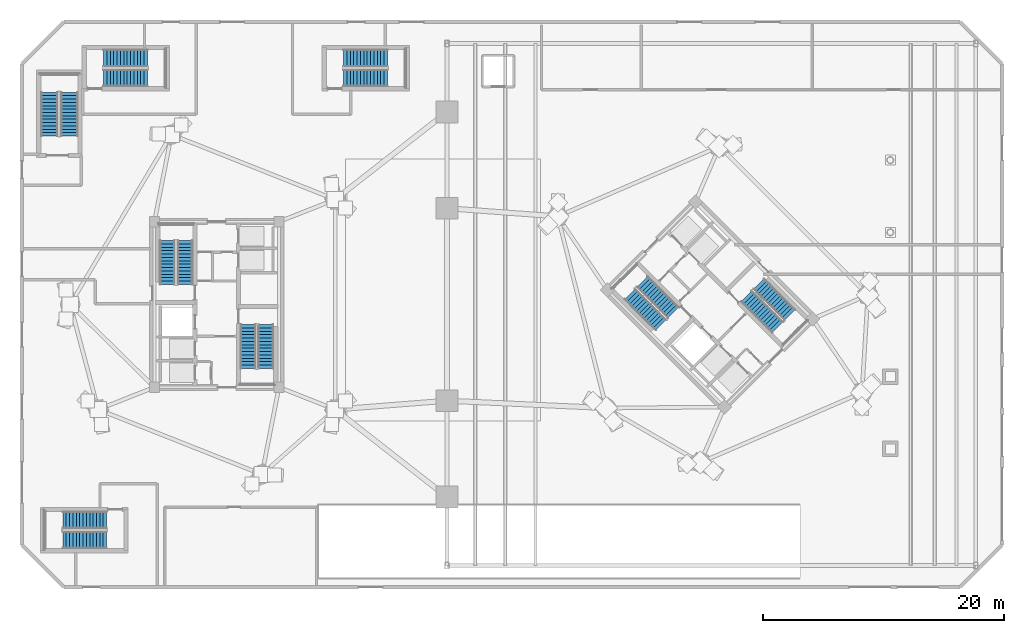
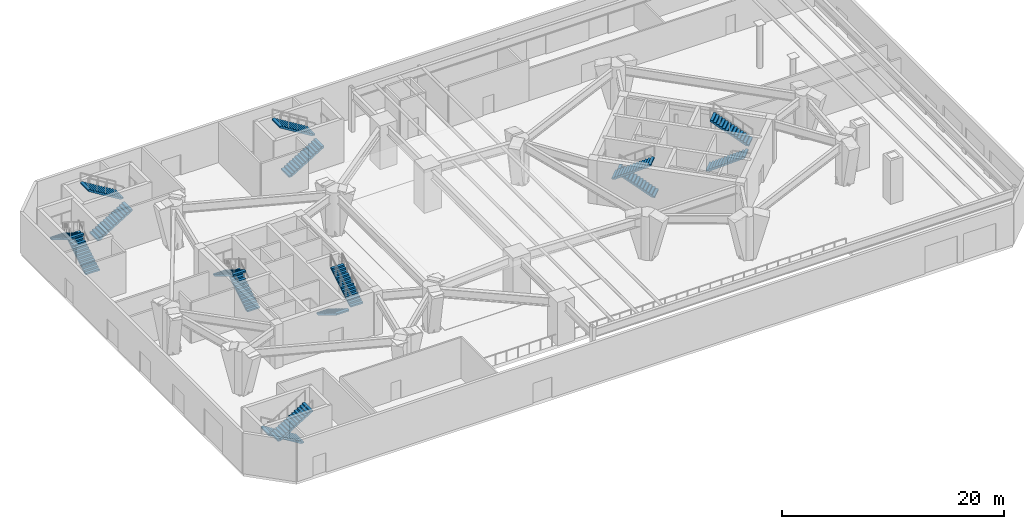
# One storey, part 11 of 17: 16 stair flights, 8 elements without a shape of their own.
"""IFC4 building model written with IfcOpenShell, lengths in metres."""

import ifcopenshell
import ifcopenshell.guid

model = None  # the IFC model being written
_history = None  # IfcOwnerHistory: only IFC2X3 demands one
_inside = {}  # id of a spatial element -> (the spatial element, [elements in it])
_under = {}  # id of a project, library or spatial element -> (it, [spatial elements below it])
_declared = {}  # id of a project -> (the project, [libraries it declares])
_typed = {}  # id of a type object -> (the type object, [elements of that type])
_made_of = {}  # id of a material, layer set ... -> (it, [elements and type objects made of it])


def new_model(schema):
    """Start an empty IFC model of exactly this schema.

    Asked for "IFC4X3", IfcOpenShell would pick the latest addendum, in which some entities
    have other attributes; the version numbers below select the first issue.
    IFC2X3 requires an IfcOwnerHistory on every rooted entity: one is made here for all.
    """
    global model, _history
    if schema == "IFC4X3":
        model = ifcopenshell.file(schema_version=(4, 3, 0, 0))
    else:
        model = ifcopenshell.file(schema=schema)
    _inside.clear()
    _under.clear()
    _declared.clear()
    _typed.clear()
    _made_of.clear()
    _history = None
    if model.schema == "IFC2X3":
        org = make("IfcOrganization", Name="unknown")
        user = make(
            "IfcPersonAndOrganization",
            ThePerson=make("IfcPerson", FamilyName="unknown"),
            TheOrganization=org,
        )
        app = make(
            "IfcApplication",
            ApplicationDeveloper=org,
            Version="unknown",
            ApplicationFullName="unknown",
            ApplicationIdentifier="unknown",
        )
        _history = make(
            "IfcOwnerHistory",
            OwningUser=user,
            OwningApplication=app,
            ChangeAction="ADDED",
            CreationDate=0,
        )
    return model


def make(cls, **values):
    """One entity of the class cls with the attributes given. An attribute that is None is left unset."""
    return model.create_entity(
        cls, **{name: value for name, value in values.items() if value is not None}
    )


def rooted(cls, **values):
    """An entity with a GlobalId (a new one), such as an element, a storey or a relation."""
    return make(cls, GlobalId=ifcopenshell.guid.new(), OwnerHistory=_history, **values)


def si_unit(unit_type, name, prefix=None):
    """IfcSIUnit, for example si_unit("LENGTHUNIT", "METRE", prefix="MILLI")."""
    return make("IfcSIUnit", UnitType=unit_type, Prefix=prefix, Name=name)


def assignment(units):
    """IfcUnitAssignment: the units of a project."""
    return None if units is None else make("IfcUnitAssignment", Units=units)


def point(xyz):
    """IfcCartesianPoint."""
    return None if xyz is None else make("IfcCartesianPoint", Coordinates=xyz)


def direction(xyz):
    """IfcDirection."""
    return None if xyz is None else make("IfcDirection", DirectionRatios=xyz)


def frame(location, z_axis=None, x_axis=None):
    """IfcAxis2Placement3D, a coordinate frame: its origin and axes. An axis left out is left unset."""
    return make(
        "IfcAxis2Placement3D",
        Location=point(location),
        Axis=direction(z_axis),
        RefDirection=direction(x_axis),
    )


def origin():
    """The frame at (0, 0, 0) with its axes left unset."""
    return frame((0.0, 0.0, 0.0))


def place(relative_to, where):
    """IfcLocalPlacement: puts the frame where relative to a parent placement (None: the world)."""
    return make(
        "IfcLocalPlacement", PlacementRelTo=relative_to, RelativePlacement=where
    )


def context(
    kind, dimensions, precision=None, world=None, true_north=None, identifier=None
):
    """IfcGeometricRepresentationContext, for example the 3D "Model" context."""
    return make(
        "IfcGeometricRepresentationContext",
        ContextIdentifier=identifier,
        ContextType=kind,
        CoordinateSpaceDimension=dimensions,
        Precision=precision,
        WorldCoordinateSystem=world,
        TrueNorth=true_north,
    )


def subcontext(parent, identifier, kind, view, scale=None):
    """IfcGeometricRepresentationSubContext, for example "Body" below "Model"."""
    return make(
        "IfcGeometricRepresentationSubContext",
        ContextIdentifier=identifier,
        ContextType=kind,
        ParentContext=parent,
        TargetScale=scale,
        TargetView=view,
    )


def project(units=None, contexts=None):
    """IfcProject with its units and contexts."""
    return rooted(
        "IfcProject",
        Name="project",
        RepresentationContexts=contexts,
        UnitsInContext=assignment(units),
    )


def spatial(cls, under=None, at=None, **own):
    """A site, building, storey or space (cls), placed at a placement, below another one or the project."""
    s = rooted(cls, ObjectPlacement=at, **own)
    if under is not None:
        _under.setdefault(under.id(), (under, []))[1].append(s)
    return s


def polyline(points):
    """IfcPolyline through the points."""
    return make("IfcPolyline", Points=[point(p) for p in points])


def outline(outer, holes=None, kind="AREA"):
    """IfcArbitraryClosedProfileDef: a profile drawn as a closed curve; with holes, ...WithVoids."""
    if holes is None:
        return make("IfcArbitraryClosedProfileDef", ProfileType=kind, OuterCurve=outer)
    return make(
        "IfcArbitraryProfileDefWithVoids",
        ProfileType=kind,
        OuterCurve=outer,
        InnerCurves=holes,
    )


def extrude(swept, where, along, depth):
    """IfcExtrudedAreaSolid: the profile swept, set in the frame where, extruded along a direction by depth."""
    return make(
        "IfcExtrudedAreaSolid",
        SweptArea=swept,
        Position=where,
        ExtrudedDirection=direction(along),
        Depth=depth,
    )


def shape(context_of_items, identifier, shape_type, items):
    """IfcShapeRepresentation: the items that make up one representation, for example the "Body"."""
    return make(
        "IfcShapeRepresentation",
        ContextOfItems=context_of_items,
        RepresentationIdentifier=identifier,
        RepresentationType=shape_type,
        Items=items,
    )


def material(Name=None, Category=None):
    """IfcMaterial."""
    return make("IfcMaterial", Name=Name, Category=Category)


def made_of(thing, what):
    """Note that an element or type object is made of a material, layer set ...; save() writes the relation."""
    if what is not None:
        _made_of.setdefault(what.id(), (what, []))[1].append(thing)
    return thing


def type_object(cls, material=None, **own):
    """A type object (cls), such as IfcWallType, which elements share."""
    return made_of(rooted(cls, **own), material)


def element(
    cls,
    number,
    at=None,
    inside=None,
    cuts=None,
    type_object=None,
    material=None,
    context=None,
    identifier="Body",
    shape_type=None,
    held_by="IfcProductDefinitionShape",
    body=None,
    shapes=None,
    **own,
):
    """One element of the class cls, such as IfcWall. Its Tag is "e" and its number.

    at: its placement. inside: the storey or other place that contains it. cuts: it is an
    opening in that element (IfcRelVoidsElement). A single representation is given by context,
    identifier, shape_type and body (its items); several are given by shapes. held_by: the class
    of the entity that holds the representations. save() writes the other relations.
    """
    e = rooted(cls, Tag="e%d" % number, ObjectPlacement=at, **own)
    if body is not None:
        shapes = [shape(context, identifier, shape_type, body)]
    if shapes is not None:
        e.Representation = make(held_by, Representations=shapes)
    if inside is not None:
        _inside.setdefault(inside.id(), (inside, []))[1].append(e)
    if cuts is not None:
        rooted(
            "IfcRelVoidsElement", RelatingBuildingElement=cuts, RelatedOpeningElement=e
        )
    if type_object is not None:
        _typed.setdefault(type_object.id(), (type_object, []))[1].append(e)
    return made_of(e, material)


def aggregate(whole, parts):
    """IfcRelAggregates: a whole, such as a stair, and the parts it consists of."""
    return rooted("IfcRelAggregates", RelatingObject=whole, RelatedObjects=parts)


def save(model, path):
    """Write the relations noted so far, then the file.

    IfcRelAggregates (storeys below a building ...), IfcRelContainedInSpatialStructure (elements
    in a storey), IfcRelDefinesByType, IfcRelAssociatesMaterial and IfcRelDeclares: one each for
    every whole, place, type object, material and project.
    """
    for whole, parts in _under.values():
        aggregate(whole, parts)
    for where, things in _inside.values():
        rooted(
            "IfcRelContainedInSpatialStructure",
            RelatedElements=things,
            RelatingStructure=where,
        )
    for kind, things in _typed.values():
        rooted("IfcRelDefinesByType", RelatedObjects=things, RelatingType=kind)
    for what, things in _made_of.values():
        rooted("IfcRelAssociatesMaterial", RelatedObjects=things, RelatingMaterial=what)
    for by, libraries in _declared.values():
        rooted("IfcRelDeclares", RelatingContext=by, RelatedDefinitions=libraries)
    model.write(path)


model = new_model("IFC4")

# Units and contexts
model_context = context("Model", 3, precision=1e-05, world=origin(), true_north=direction((0.0, 1.0)))
body_context = subcontext(model_context, "Body", "Model", "MODEL_VIEW")
ifc_project = project(units=[si_unit("LENGTHUNIT", "METRE"), si_unit("AREAUNIT", "SQUARE_METRE"), si_unit("VOLUMEUNIT", "CUBIC_METRE"), si_unit("PLANEANGLEUNIT", "RADIAN"), si_unit("MASSUNIT", "GRAM", prefix="KILO")], contexts=[model_context])

# Site, building, storey
site_placement = place(None, origin())
site = spatial("IfcSite", under=ifc_project, at=site_placement, CompositionType="ELEMENT")
building_placement = place(site_placement, origin())
building = spatial("IfcBuilding", under=site, at=building_placement, Name="Cununo Teusaquillo Station Towers", CompositionType="ELEMENT")
storey_placement = place(building_placement, origin())
storey = spatial("IfcBuildingStorey", under=building, at=storey_placement, Name="L00", CompositionType="ELEMENT", Elevation=0.0)

# Stair, stair flights
ifc_material_1 = material(Name="Concrete C50/60", Category="concrete")
stair_type_1 = type_object("IfcStairType", Name="ST-POD-1450", PredefinedType="HALF_TURN_STAIR", material=ifc_material_1)
stair_1_placement = place(storey_placement, origin())
stair_1 = element("IfcStair", 1, at=stair_1_placement, inside=storey, type_object=stair_type_1, Name="L00 Station Podium North Protected Exit Stair", PredefinedType="HALF_TURN_STAIR")
ifc_material_2 = material(Name="Concrete C50/60", Category="concrete")
stair_flight_type_1 = type_object("IfcStairFlightType", Name="SFL-POD-1450", PredefinedType="STRAIGHT", material=ifc_material_2)
stair_flight_1_placement = place(storey_placement, frame((27.050048828125, 43.324951171875, 0.0), z_axis=(0.0, 0.0, 1.0), x_axis=(1.0, 0.0, 0.0)))
stair_flight_1 = element("IfcStairFlight", 2, at=stair_flight_1_placement, type_object=stair_flight_type_1, Name="ST-POD-N flight 1", NumberOfRisers=14, NumberOfTreads=13, PredefinedType="STRAIGHT", RiserHeight=0.171428571, TreadLength=0.28, context=body_context, shape_type="SweptSolid", body=[
    extrude(outline(polyline([(0.0, 0.0), (0.0, 0.17138671875), (0.280029296875, 0.17138671875), (0.280029296875, 0.3427734375), (0.56005859375, 0.3427734375), (0.56005859375, 0.514404296875), (0.840087890625, 0.514404296875), (0.840087890625, 0.685791015625), (1.1201171875, 0.685791015625), (1.1201171875, 0.857177734375), (1.39990234375, 0.857177734375), (1.39990234375, 1.028564453125), (1.679931640625, 1.028564453125), (1.679931640625, 1.199951171875), (1.9599609375, 1.199951171875), (1.9599609375, 1.371337890625), (2.239990234375, 1.371337890625), (2.239990234375, 1.54296875), (2.52001953125, 1.54296875), (2.52001953125, 1.71435546875), (2.800048828125, 1.71435546875), (2.800048828125, 1.8857421875), (3.080078125, 1.8857421875), (3.080078125, 2.05712890625), (3.360107421875, 2.05712890625), (3.360107421875, 2.228515625), (3.639892578125, 2.228515625), (3.639892578125, 2.39990234375), (3.639892578125, 2.052734375), (0.287109375, 0.0), (0.0, 0.0)])), frame((0.0, 0.72509765625, 0.0), z_axis=(0.0, -1.0, 0.0), x_axis=(1.0, 0.0, 0.0)), (0.0, 0.0, 1.0), 1.449951171875),
])
stair_flight_2_placement = place(storey_placement, frame((30.68994140625, 44.97509765625, 2.39990234375), z_axis=(0.0, 0.0, 1.0), x_axis=(-1.0, 0.0, 0.0)))
stair_flight_2 = element("IfcStairFlight", 3, at=stair_flight_2_placement, type_object=stair_flight_type_1, Name="ST-POD-N flight 2", NumberOfRisers=14, NumberOfTreads=13, PredefinedType="STRAIGHT", RiserHeight=0.171428571, TreadLength=0.28, context=body_context, shape_type="SweptSolid", body=[
    extrude(outline(polyline([(0.0, 0.0), (0.0, 0.17138671875), (0.280029296875, 0.17138671875), (0.280029296875, 0.3427734375), (0.56005859375, 0.3427734375), (0.56005859375, 0.514404296875), (0.840087890625, 0.514404296875), (0.840087890625, 0.685791015625), (1.1201171875, 0.685791015625), (1.1201171875, 0.857177734375), (1.39990234375, 0.857177734375), (1.39990234375, 1.028564453125), (1.679931640625, 1.028564453125), (1.679931640625, 1.199951171875), (1.9599609375, 1.199951171875), (1.9599609375, 1.371337890625), (2.239990234375, 1.371337890625), (2.239990234375, 1.54296875), (2.52001953125, 1.54296875), (2.52001953125, 1.71435546875), (2.800048828125, 1.71435546875), (2.800048828125, 1.8857421875), (3.080078125, 1.8857421875), (3.080078125, 2.05712890625), (3.360107421875, 2.05712890625), (3.360107421875, 2.228515625), (3.639892578125, 2.228515625), (3.639892578125, 2.39990234375), (3.639892578125, 2.052734375), (0.287109375, 0.0), (0.0, 0.0)])), frame((0.0, 0.72509765625, 0.0), z_axis=(0.0, -1.0, 0.0), x_axis=(1.0, 0.0, 0.0)), (0.0, 0.0, 1.0), 1.449951171875),
])
aggregate(stair_1, [stair_flight_1, stair_flight_2])

stair_2_placement = place(storey_placement, origin())
stair_2 = element("IfcStair", 4, at=stair_2_placement, inside=storey, type_object=stair_type_1, Name="L00 Station Podium South Protected Exit Stair", PredefinedType="HALF_TURN_STAIR")
stair_flight_3_placement = place(storey_placement, frame((7.35009765625, 6.574951171875, 0.0), z_axis=(0.0, 0.0, 1.0), x_axis=(-1.0, 0.0, 0.0)))
stair_flight_3 = element("IfcStairFlight", 5, at=stair_flight_3_placement, type_object=stair_flight_type_1, Name="ST-POD-S flight 1", NumberOfRisers=14, NumberOfTreads=13, PredefinedType="STRAIGHT", RiserHeight=0.171428571, TreadLength=0.28, context=body_context, shape_type="SweptSolid", body=[
    extrude(outline(polyline([(0.0, 0.0), (0.0, 0.17138671875), (0.280029296875, 0.17138671875), (0.280029296875, 0.3427734375), (0.56005859375, 0.3427734375), (0.56005859375, 0.514404296875), (0.840087890625, 0.514404296875), (0.840087890625, 0.685791015625), (1.1201171875, 0.685791015625), (1.1201171875, 0.857177734375), (1.39990234375, 0.857177734375), (1.39990234375, 1.028564453125), (1.679931640625, 1.028564453125), (1.679931640625, 1.199951171875), (1.9599609375, 1.199951171875), (1.9599609375, 1.371337890625), (2.239990234375, 1.371337890625), (2.239990234375, 1.54296875), (2.52001953125, 1.54296875), (2.52001953125, 1.71435546875), (2.800048828125, 1.71435546875), (2.800048828125, 1.8857421875), (3.080078125, 1.8857421875), (3.080078125, 2.05712890625), (3.360107421875, 2.05712890625), (3.360107421875, 2.228515625), (3.639892578125, 2.228515625), (3.639892578125, 2.39990234375), (3.639892578125, 2.052734375), (0.287109375, 0.0), (0.0, 0.0)])), frame((0.0, 0.72509765625, 0.0), z_axis=(0.0, -1.0, 0.0), x_axis=(1.0, 0.0, 0.0)), (0.0, 0.0, 1.0), 1.449951171875),
])
stair_flight_4_placement = place(storey_placement, frame((3.7099609375, 4.925048828125, 2.39990234375), z_axis=(0.0, 0.0, 1.0), x_axis=(1.0, 0.0, 0.0)))
stair_flight_4 = element("IfcStairFlight", 6, at=stair_flight_4_placement, type_object=stair_flight_type_1, Name="ST-POD-S flight 2", NumberOfRisers=14, NumberOfTreads=13, PredefinedType="STRAIGHT", RiserHeight=0.171428571, TreadLength=0.28, context=body_context, shape_type="SweptSolid", body=[
    extrude(outline(polyline([(0.0, 0.0), (0.0, 0.17138671875), (0.280029296875, 0.17138671875), (0.280029296875, 0.3427734375), (0.56005859375, 0.3427734375), (0.56005859375, 0.514404296875), (0.840087890625, 0.514404296875), (0.840087890625, 0.685791015625), (1.1201171875, 0.685791015625), (1.1201171875, 0.857177734375), (1.39990234375, 0.857177734375), (1.39990234375, 1.028564453125), (1.679931640625, 1.028564453125), (1.679931640625, 1.199951171875), (1.9599609375, 1.199951171875), (1.9599609375, 1.371337890625), (2.239990234375, 1.371337890625), (2.239990234375, 1.54296875), (2.52001953125, 1.54296875), (2.52001953125, 1.71435546875), (2.800048828125, 1.71435546875), (2.800048828125, 1.8857421875), (3.080078125, 1.8857421875), (3.080078125, 2.05712890625), (3.360107421875, 2.05712890625), (3.360107421875, 2.228515625), (3.639892578125, 2.228515625), (3.639892578125, 2.39990234375), (3.639892578125, 2.052734375), (0.287109375, 0.0), (0.0, 0.0)])), frame((0.0, 0.72509765625, 0.0), z_axis=(0.0, -1.0, 0.0), x_axis=(1.0, 0.0, 0.0)), (0.0, 0.0, 1.0), 1.449951171875),
])
aggregate(stair_2, [stair_flight_3, stair_flight_4])

stair_3_placement = place(storey_placement, origin())
stair_3 = element("IfcStair", 7, at=stair_3_placement, inside=storey, type_object=stair_type_1, Name="L00 Station Podium West Protected Exit Stair", PredefinedType="HALF_TURN_STAIR")
stair_flight_5_placement = place(storey_placement, frame((4.2548828125, 38.5, 0.0), z_axis=(0.0, 0.0, 1.0), x_axis=(0.0, 1.0, 0.0)))
stair_flight_5 = element("IfcStairFlight", 8, at=stair_flight_5_placement, type_object=stair_flight_type_1, Name="ST-POD-W flight 1", NumberOfRisers=14, NumberOfTreads=13, PredefinedType="STRAIGHT", RiserHeight=0.171428571, TreadLength=0.28, context=body_context, shape_type="SweptSolid", body=[
    extrude(outline(polyline([(0.0, 0.0), (0.0, 0.17138671875), (0.280029296875, 0.17138671875), (0.280029296875, 0.3427734375), (0.56005859375, 0.3427734375), (0.56005859375, 0.514404296875), (0.840087890625, 0.514404296875), (0.840087890625, 0.685791015625), (1.1201171875, 0.685791015625), (1.1201171875, 0.857177734375), (1.39990234375, 0.857177734375), (1.39990234375, 1.028564453125), (1.679931640625, 1.028564453125), (1.679931640625, 1.199951171875), (1.9599609375, 1.199951171875), (1.9599609375, 1.371337890625), (2.239990234375, 1.371337890625), (2.239990234375, 1.54296875), (2.52001953125, 1.54296875), (2.52001953125, 1.71435546875), (2.800048828125, 1.71435546875), (2.800048828125, 1.8857421875), (3.080078125, 1.8857421875), (3.080078125, 2.05712890625), (3.360107421875, 2.05712890625), (3.360107421875, 2.228515625), (3.639892578125, 2.228515625), (3.639892578125, 2.39990234375), (3.639892578125, 2.052734375), (0.287109375, 0.0), (0.0, 0.0)])), frame((0.0, 0.72509765625, 0.0), z_axis=(0.0, -1.0, 0.0), x_axis=(1.0, 0.0, 0.0)), (0.0, 0.0, 1.0), 1.449951171875),
])
stair_flight_6_placement = place(storey_placement, frame((2.60498046875, 42.139892578125, 2.39990234375), z_axis=(0.0, 0.0, 1.0), x_axis=(0.0, -1.0, 0.0)))
stair_flight_6 = element("IfcStairFlight", 9, at=stair_flight_6_placement, type_object=stair_flight_type_1, Name="ST-POD-W flight 2", NumberOfRisers=14, NumberOfTreads=13, PredefinedType="STRAIGHT", RiserHeight=0.171428571, TreadLength=0.28, context=body_context, shape_type="SweptSolid", body=[
    extrude(outline(polyline([(0.0, 0.0), (0.0, 0.17138671875), (0.280029296875, 0.17138671875), (0.280029296875, 0.3427734375), (0.56005859375, 0.3427734375), (0.56005859375, 0.514404296875), (0.840087890625, 0.514404296875), (0.840087890625, 0.685791015625), (1.1201171875, 0.685791015625), (1.1201171875, 0.857177734375), (1.39990234375, 0.857177734375), (1.39990234375, 1.028564453125), (1.679931640625, 1.028564453125), (1.679931640625, 1.199951171875), (1.9599609375, 1.199951171875), (1.9599609375, 1.371337890625), (2.239990234375, 1.371337890625), (2.239990234375, 1.54296875), (2.52001953125, 1.54296875), (2.52001953125, 1.71435546875), (2.800048828125, 1.71435546875), (2.800048828125, 1.8857421875), (3.080078125, 1.8857421875), (3.080078125, 2.05712890625), (3.360107421875, 2.05712890625), (3.360107421875, 2.228515625), (3.639892578125, 2.228515625), (3.639892578125, 2.39990234375), (3.639892578125, 2.052734375), (0.287109375, 0.0), (0.0, 0.0)])), frame((0.0, 0.72509765625, 0.0), z_axis=(0.0, -1.0, 0.0), x_axis=(1.0, 0.0, 0.0)), (0.0, 0.0, 1.0), 1.449951171875),
])
aggregate(stair_3, [stair_flight_5, stair_flight_6])

stair_4_placement = place(storey_placement, origin())
stair_4 = element("IfcStair", 10, at=stair_4_placement, inside=storey, type_object=stair_type_1, Name="L00 Station Podium North-West Protected Exit Stair", PredefinedType="HALF_TURN_STAIR")
stair_flight_7_placement = place(storey_placement, frame((7.10009765625, 43.324951171875, 0.0), z_axis=(0.0, 0.0, 1.0), x_axis=(1.0, 0.0, 0.0)))
stair_flight_7 = element("IfcStairFlight", 11, at=stair_flight_7_placement, type_object=stair_flight_type_1, Name="ST-POD-C flight 1", NumberOfRisers=14, NumberOfTreads=13, PredefinedType="STRAIGHT", RiserHeight=0.171428571, TreadLength=0.28, context=body_context, shape_type="SweptSolid", body=[
    extrude(outline(polyline([(0.0, 0.0), (0.0, 0.17138671875), (0.280029296875, 0.17138671875), (0.280029296875, 0.3427734375), (0.56005859375, 0.3427734375), (0.56005859375, 0.514404296875), (0.840087890625, 0.514404296875), (0.840087890625, 0.685791015625), (1.1201171875, 0.685791015625), (1.1201171875, 0.857177734375), (1.39990234375, 0.857177734375), (1.39990234375, 1.028564453125), (1.679931640625, 1.028564453125), (1.679931640625, 1.199951171875), (1.9599609375, 1.199951171875), (1.9599609375, 1.371337890625), (2.239990234375, 1.371337890625), (2.239990234375, 1.54296875), (2.52001953125, 1.54296875), (2.52001953125, 1.71435546875), (2.800048828125, 1.71435546875), (2.800048828125, 1.8857421875), (3.080078125, 1.8857421875), (3.080078125, 2.05712890625), (3.360107421875, 2.05712890625), (3.360107421875, 2.228515625), (3.639892578125, 2.228515625), (3.639892578125, 2.39990234375), (3.639892578125, 2.052734375), (0.287109375, 0.0), (0.0, 0.0)])), frame((0.0, 0.72509765625, 0.0), z_axis=(0.0, -1.0, 0.0), x_axis=(1.0, 0.0, 0.0)), (0.0, 0.0, 1.0), 1.449951171875),
])
stair_flight_8_placement = place(storey_placement, frame((10.739990234375, 44.97509765625, 2.39990234375), z_axis=(0.0, 0.0, 1.0), x_axis=(-1.0, 0.0, 0.0)))
stair_flight_8 = element("IfcStairFlight", 12, at=stair_flight_8_placement, type_object=stair_flight_type_1, Name="ST-POD-C flight 2", NumberOfRisers=14, NumberOfTreads=13, PredefinedType="STRAIGHT", RiserHeight=0.171428571, TreadLength=0.28, context=body_context, shape_type="SweptSolid", body=[
    extrude(outline(polyline([(0.0, 0.0), (0.0, 0.17138671875), (0.280029296875, 0.17138671875), (0.280029296875, 0.3427734375), (0.56005859375, 0.3427734375), (0.56005859375, 0.514404296875), (0.840087890625, 0.514404296875), (0.840087890625, 0.685791015625), (1.1201171875, 0.685791015625), (1.1201171875, 0.857177734375), (1.39990234375, 0.857177734375), (1.39990234375, 1.028564453125), (1.679931640625, 1.028564453125), (1.679931640625, 1.199951171875), (1.9599609375, 1.199951171875), (1.9599609375, 1.371337890625), (2.239990234375, 1.371337890625), (2.239990234375, 1.54296875), (2.52001953125, 1.54296875), (2.52001953125, 1.71435546875), (2.800048828125, 1.71435546875), (2.800048828125, 1.8857421875), (3.080078125, 1.8857421875), (3.080078125, 2.05712890625), (3.360107421875, 2.05712890625), (3.360107421875, 2.228515625), (3.639892578125, 2.228515625), (3.639892578125, 2.39990234375), (3.639892578125, 2.052734375), (0.287109375, 0.0), (0.0, 0.0)])), frame((0.0, 0.72509765625, 0.0), z_axis=(0.0, -1.0, 0.0), x_axis=(1.0, 0.0, 0.0)), (0.0, 0.0, 1.0), 1.449951171875),
])
aggregate(stair_4, [stair_flight_7, stair_flight_8])

ifc_material_3 = material(Name="Concrete C50/60", Category="concrete")
stair_type_2 = type_object("IfcStairType", Name="ST-TWR-1300", PredefinedType="HALF_TURN_STAIR", material=ifc_material_3)
stair_5_placement = place(storey_placement, origin())
stair_5 = element("IfcStair", 13, at=stair_5_placement, inside=storey, type_object=stair_type_2, Name="L00 Tower A Protected Core Exit Stair 1", PredefinedType="HALF_TURN_STAIR")
ifc_material_4 = material(Name="Concrete C50/60", Category="concrete")
stair_flight_type_2 = type_object("IfcStairFlightType", Name="SFL-TWR-1300", PredefinedType="STRAIGHT", material=ifc_material_4)
stair_flight_9_placement = place(storey_placement, frame((13.8701171875, 26.169921875, 0.0), z_axis=(0.0, 0.0, 1.0), x_axis=(0.0, 1.0, 0.0)))
stair_flight_9 = element("IfcStairFlight", 14, at=stair_flight_9_placement, type_object=stair_flight_type_2, Name="ST-T1-1 flight 1", NumberOfRisers=14, NumberOfTreads=13, PredefinedType="STRAIGHT", RiserHeight=0.171428571, TreadLength=0.28, context=body_context, shape_type="SweptSolid", body=[
    extrude(outline(polyline([(0.0, 0.0), (0.0, 0.17138671875), (0.280029296875, 0.17138671875), (0.280029296875, 0.3427734375), (0.56005859375, 0.3427734375), (0.56005859375, 0.514404296875), (0.840087890625, 0.514404296875), (0.840087890625, 0.685791015625), (1.1201171875, 0.685791015625), (1.1201171875, 0.857177734375), (1.39990234375, 0.857177734375), (1.39990234375, 1.028564453125), (1.679931640625, 1.028564453125), (1.679931640625, 1.199951171875), (1.9599609375, 1.199951171875), (1.9599609375, 1.371337890625), (2.239990234375, 1.371337890625), (2.239990234375, 1.54296875), (2.52001953125, 1.54296875), (2.52001953125, 1.71435546875), (2.800048828125, 1.71435546875), (2.800048828125, 1.8857421875), (3.080078125, 1.8857421875), (3.080078125, 2.05712890625), (3.360107421875, 2.05712890625), (3.360107421875, 2.228515625), (3.639892578125, 2.228515625), (3.639892578125, 2.39990234375), (3.639892578125, 2.052734375), (0.287109375, 0.0), (0.0, 0.0)])), frame((0.0, 0.64990234375, 0.0), z_axis=(0.0, -1.0, 0.0), x_axis=(1.0, 0.0, 0.0)), (0.0, 0.0, 1.0), 1.300048828125),
])
stair_flight_10_placement = place(storey_placement, frame((12.409912109375, 29.81005859375, 2.39990234375), z_axis=(0.0, 0.0, 1.0), x_axis=(0.0, -1.0, 0.0)))
stair_flight_10 = element("IfcStairFlight", 15, at=stair_flight_10_placement, type_object=stair_flight_type_2, Name="ST-T1-1 flight 2", NumberOfRisers=14, NumberOfTreads=13, PredefinedType="STRAIGHT", RiserHeight=0.171428571, TreadLength=0.28, context=body_context, shape_type="SweptSolid", body=[
    extrude(outline(polyline([(0.0, 0.0), (0.0, 0.17138671875), (0.280029296875, 0.17138671875), (0.280029296875, 0.3427734375), (0.56005859375, 0.3427734375), (0.56005859375, 0.514404296875), (0.840087890625, 0.514404296875), (0.840087890625, 0.685791015625), (1.1201171875, 0.685791015625), (1.1201171875, 0.857177734375), (1.39990234375, 0.857177734375), (1.39990234375, 1.028564453125), (1.679931640625, 1.028564453125), (1.679931640625, 1.199951171875), (1.9599609375, 1.199951171875), (1.9599609375, 1.371337890625), (2.239990234375, 1.371337890625), (2.239990234375, 1.54296875), (2.52001953125, 1.54296875), (2.52001953125, 1.71435546875), (2.800048828125, 1.71435546875), (2.800048828125, 1.8857421875), (3.080078125, 1.8857421875), (3.080078125, 2.05712890625), (3.360107421875, 2.05712890625), (3.360107421875, 2.228515625), (3.639892578125, 2.228515625), (3.639892578125, 2.39990234375), (3.639892578125, 2.052734375), (0.287109375, 0.0), (0.0, 0.0)])), frame((0.0, 0.64990234375, 0.0), z_axis=(0.0, -1.0, 0.0), x_axis=(1.0, 0.0, 0.0)), (0.0, 0.0, 1.0), 1.300048828125),
])
aggregate(stair_5, [stair_flight_9, stair_flight_10])

stair_6_placement = place(storey_placement, origin())
stair_6 = element("IfcStair", 16, at=stair_6_placement, inside=storey, type_object=stair_type_2, Name="L00 Tower A Protected Core Exit Stair 2", PredefinedType="HALF_TURN_STAIR")
stair_flight_11_placement = place(storey_placement, frame((19.1298828125, 22.830078125, 0.0), z_axis=(0.0, 0.0, 1.0), x_axis=(0.0, -1.0, 0.0)))
stair_flight_11 = element("IfcStairFlight", 17, at=stair_flight_11_placement, type_object=stair_flight_type_2, Name="ST-T1-2 flight 1", NumberOfRisers=14, NumberOfTreads=13, PredefinedType="STRAIGHT", RiserHeight=0.171428571, TreadLength=0.28, context=body_context, shape_type="SweptSolid", body=[
    extrude(outline(polyline([(0.0, 0.0), (0.0, 0.17138671875), (0.280029296875, 0.17138671875), (0.280029296875, 0.3427734375), (0.56005859375, 0.3427734375), (0.56005859375, 0.514404296875), (0.840087890625, 0.514404296875), (0.840087890625, 0.685791015625), (1.1201171875, 0.685791015625), (1.1201171875, 0.857177734375), (1.39990234375, 0.857177734375), (1.39990234375, 1.028564453125), (1.679931640625, 1.028564453125), (1.679931640625, 1.199951171875), (1.9599609375, 1.199951171875), (1.9599609375, 1.371337890625), (2.239990234375, 1.371337890625), (2.239990234375, 1.54296875), (2.52001953125, 1.54296875), (2.52001953125, 1.71435546875), (2.800048828125, 1.71435546875), (2.800048828125, 1.8857421875), (3.080078125, 1.8857421875), (3.080078125, 2.05712890625), (3.360107421875, 2.05712890625), (3.360107421875, 2.228515625), (3.639892578125, 2.228515625), (3.639892578125, 2.39990234375), (3.639892578125, 2.052734375), (0.287109375, 0.0), (0.0, 0.0)])), frame((0.0, 0.64990234375, 0.0), z_axis=(0.0, -1.0, 0.0), x_axis=(1.0, 0.0, 0.0)), (0.0, 0.0, 1.0), 1.300048828125),
])
stair_flight_12_placement = place(storey_placement, frame((20.590087890625, 19.18994140625, 2.39990234375), z_axis=(0.0, 0.0, 1.0), x_axis=(0.0, 1.0, 0.0)))
stair_flight_12 = element("IfcStairFlight", 18, at=stair_flight_12_placement, type_object=stair_flight_type_2, Name="ST-T1-2 flight 2", NumberOfRisers=14, NumberOfTreads=13, PredefinedType="STRAIGHT", RiserHeight=0.171428571, TreadLength=0.28, context=body_context, shape_type="SweptSolid", body=[
    extrude(outline(polyline([(0.0, 0.0), (0.0, 0.17138671875), (0.280029296875, 0.17138671875), (0.280029296875, 0.3427734375), (0.56005859375, 0.3427734375), (0.56005859375, 0.514404296875), (0.840087890625, 0.514404296875), (0.840087890625, 0.685791015625), (1.1201171875, 0.685791015625), (1.1201171875, 0.857177734375), (1.39990234375, 0.857177734375), (1.39990234375, 1.028564453125), (1.679931640625, 1.028564453125), (1.679931640625, 1.199951171875), (1.9599609375, 1.199951171875), (1.9599609375, 1.371337890625), (2.239990234375, 1.371337890625), (2.239990234375, 1.54296875), (2.52001953125, 1.54296875), (2.52001953125, 1.71435546875), (2.800048828125, 1.71435546875), (2.800048828125, 1.8857421875), (3.080078125, 1.8857421875), (3.080078125, 2.05712890625), (3.360107421875, 2.05712890625), (3.360107421875, 2.228515625), (3.639892578125, 2.228515625), (3.639892578125, 2.39990234375), (3.639892578125, 2.052734375), (0.287109375, 0.0), (0.0, 0.0)])), frame((0.0, 0.64990234375, 0.0), z_axis=(0.0, -1.0, 0.0), x_axis=(1.0, 0.0, 0.0)), (0.0, 0.0, 1.0), 1.300048828125),
])
aggregate(stair_6, [stair_flight_11, stair_flight_12])

stair_7_placement = place(storey_placement, origin())
stair_7 = element("IfcStair", 19, at=stair_7_placement, inside=storey, type_object=stair_type_2, Name="L00 Tower B Protected Core Exit Stair 1", PredefinedType="HALF_TURN_STAIR")
stair_flight_13_placement = place(storey_placement, frame((54.45947265625, 23.8212890625, 0.0), z_axis=(0.0, 0.0, 1.0), x_axis=(-0.707106781187, 0.707106781187, 0.0)))
stair_flight_13 = element("IfcStairFlight", 20, at=stair_flight_13_placement, type_object=stair_flight_type_2, Name="ST-T2-1 flight 1", NumberOfRisers=14, NumberOfTreads=13, PredefinedType="STRAIGHT", RiserHeight=0.171428571, TreadLength=0.28, context=body_context, shape_type="SweptSolid", body=[
    extrude(outline(polyline([(0.0, 0.0), (0.0, 0.17138671875), (0.280029296875, 0.17138671875), (0.280029296875, 0.3427734375), (0.56005859375, 0.3427734375), (0.56005859375, 0.514404296875), (0.840087890625, 0.514404296875), (0.840087890625, 0.685791015625), (1.1201171875, 0.685791015625), (1.1201171875, 0.857177734375), (1.39990234375, 0.857177734375), (1.39990234375, 1.028564453125), (1.679931640625, 1.028564453125), (1.679931640625, 1.199951171875), (1.9599609375, 1.199951171875), (1.9599609375, 1.371337890625), (2.239990234375, 1.371337890625), (2.239990234375, 1.54296875), (2.52001953125, 1.54296875), (2.52001953125, 1.71435546875), (2.800048828125, 1.71435546875), (2.800048828125, 1.8857421875), (3.080078125, 1.8857421875), (3.080078125, 2.05712890625), (3.360107421875, 2.05712890625), (3.360107421875, 2.228515625), (3.639892578125, 2.228515625), (3.639892578125, 2.39990234375), (3.639892578125, 2.052734375), (0.287109375, 0.0), (0.0, 0.0)])), frame((0.0, 0.64990234375, 0.0), z_axis=(0.0, -1.0, 0.0), x_axis=(1.0, 0.0, 0.0)), (0.0, 0.0, 1.0), 1.300048828125),
])
stair_flight_14_placement = place(storey_placement, frame((50.853271484375, 25.362548828125, 2.39990234375), z_axis=(0.0, 0.0, 1.0), x_axis=(0.707106781187, -0.707106781187, 0.0)))
stair_flight_14 = element("IfcStairFlight", 21, at=stair_flight_14_placement, type_object=stair_flight_type_2, Name="ST-T2-1 flight 2", NumberOfRisers=14, NumberOfTreads=13, PredefinedType="STRAIGHT", RiserHeight=0.171428571, TreadLength=0.28, context=body_context, shape_type="SweptSolid", body=[
    extrude(outline(polyline([(0.0, 0.0), (0.0, 0.17138671875), (0.280029296875, 0.17138671875), (0.280029296875, 0.3427734375), (0.56005859375, 0.3427734375), (0.56005859375, 0.514404296875), (0.840087890625, 0.514404296875), (0.840087890625, 0.685791015625), (1.1201171875, 0.685791015625), (1.1201171875, 0.857177734375), (1.39990234375, 0.857177734375), (1.39990234375, 1.028564453125), (1.679931640625, 1.028564453125), (1.679931640625, 1.199951171875), (1.9599609375, 1.199951171875), (1.9599609375, 1.371337890625), (2.239990234375, 1.371337890625), (2.239990234375, 1.54296875), (2.52001953125, 1.54296875), (2.52001953125, 1.71435546875), (2.800048828125, 1.71435546875), (2.800048828125, 1.8857421875), (3.080078125, 1.8857421875), (3.080078125, 2.05712890625), (3.360107421875, 2.05712890625), (3.360107421875, 2.228515625), (3.639892578125, 2.228515625), (3.639892578125, 2.39990234375), (3.639892578125, 2.052734375), (0.287109375, 0.0), (0.0, 0.0)])), frame((0.0, 0.64990234375, 0.0), z_axis=(0.0, -1.0, 0.0), x_axis=(1.0, 0.0, 0.0)), (0.0, 0.0, 1.0), 1.300048828125),
])
aggregate(stair_7, [stair_flight_13, stair_flight_14])

stair_8_placement = place(storey_placement, origin())
stair_8 = element("IfcStair", 22, at=stair_8_placement, inside=storey, type_object=stair_type_2, Name="L00 Tower B Protected Core Exit Stair 2", PredefinedType="HALF_TURN_STAIR")
stair_flight_15_placement = place(storey_placement, frame((60.54052734375, 25.1787109375, 0.0), z_axis=(0.0, 0.0, 1.0), x_axis=(0.707106781187, -0.707106781187, 0.0)))
stair_flight_15 = element("IfcStairFlight", 23, at=stair_flight_15_placement, type_object=stair_flight_type_2, Name="ST-T2-2 flight 1", NumberOfRisers=14, NumberOfTreads=13, PredefinedType="STRAIGHT", RiserHeight=0.171428571, TreadLength=0.28, context=body_context, shape_type="SweptSolid", body=[
    extrude(outline(polyline([(0.0, 0.0), (0.0, 0.17138671875), (0.280029296875, 0.17138671875), (0.280029296875, 0.3427734375), (0.56005859375, 0.3427734375), (0.56005859375, 0.514404296875), (0.840087890625, 0.514404296875), (0.840087890625, 0.685791015625), (1.1201171875, 0.685791015625), (1.1201171875, 0.857177734375), (1.39990234375, 0.857177734375), (1.39990234375, 1.028564453125), (1.679931640625, 1.028564453125), (1.679931640625, 1.199951171875), (1.9599609375, 1.199951171875), (1.9599609375, 1.371337890625), (2.239990234375, 1.371337890625), (2.239990234375, 1.54296875), (2.52001953125, 1.54296875), (2.52001953125, 1.71435546875), (2.800048828125, 1.71435546875), (2.800048828125, 1.8857421875), (3.080078125, 1.8857421875), (3.080078125, 2.05712890625), (3.360107421875, 2.05712890625), (3.360107421875, 2.228515625), (3.639892578125, 2.228515625), (3.639892578125, 2.39990234375), (3.639892578125, 2.052734375), (0.287109375, 0.0), (0.0, 0.0)])), frame((0.0, 0.64990234375, 0.0), z_axis=(0.0, -1.0, 0.0), x_axis=(1.0, 0.0, 0.0)), (0.0, 0.0, 1.0), 1.300048828125),
])
stair_flight_16_placement = place(storey_placement, frame((64.146728515625, 23.637451171875, 2.39990234375), z_axis=(0.0, 0.0, 1.0), x_axis=(-0.707106781187, 0.707106781187, 0.0)))
stair_flight_16 = element("IfcStairFlight", 24, at=stair_flight_16_placement, type_object=stair_flight_type_2, Name="ST-T2-2 flight 2", NumberOfRisers=14, NumberOfTreads=13, PredefinedType="STRAIGHT", RiserHeight=0.171428571, TreadLength=0.28, context=body_context, shape_type="SweptSolid", body=[
    extrude(outline(polyline([(0.0, 0.0), (0.0, 0.17138671875), (0.280029296875, 0.17138671875), (0.280029296875, 0.3427734375), (0.56005859375, 0.3427734375), (0.56005859375, 0.514404296875), (0.840087890625, 0.514404296875), (0.840087890625, 0.685791015625), (1.1201171875, 0.685791015625), (1.1201171875, 0.857177734375), (1.39990234375, 0.857177734375), (1.39990234375, 1.028564453125), (1.679931640625, 1.028564453125), (1.679931640625, 1.199951171875), (1.9599609375, 1.199951171875), (1.9599609375, 1.371337890625), (2.239990234375, 1.371337890625), (2.239990234375, 1.54296875), (2.52001953125, 1.54296875), (2.52001953125, 1.71435546875), (2.800048828125, 1.71435546875), (2.800048828125, 1.8857421875), (3.080078125, 1.8857421875), (3.080078125, 2.05712890625), (3.360107421875, 2.05712890625), (3.360107421875, 2.228515625), (3.639892578125, 2.228515625), (3.639892578125, 2.39990234375), (3.639892578125, 2.052734375), (0.287109375, 0.0), (0.0, 0.0)])), frame((0.0, 0.64990234375, 0.0), z_axis=(0.0, -1.0, 0.0), x_axis=(1.0, 0.0, 0.0)), (0.0, 0.0, 1.0), 1.300048828125),
])
aggregate(stair_8, [stair_flight_15, stair_flight_16])

save(model, "model.ifc")
